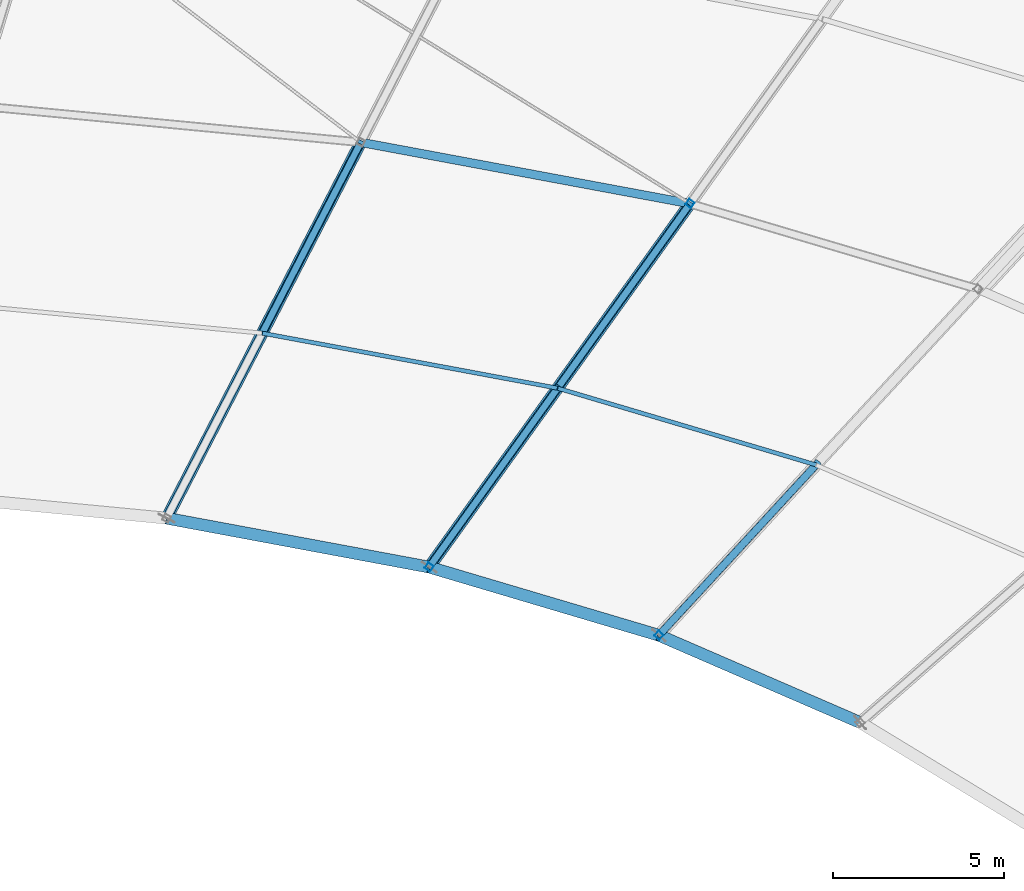
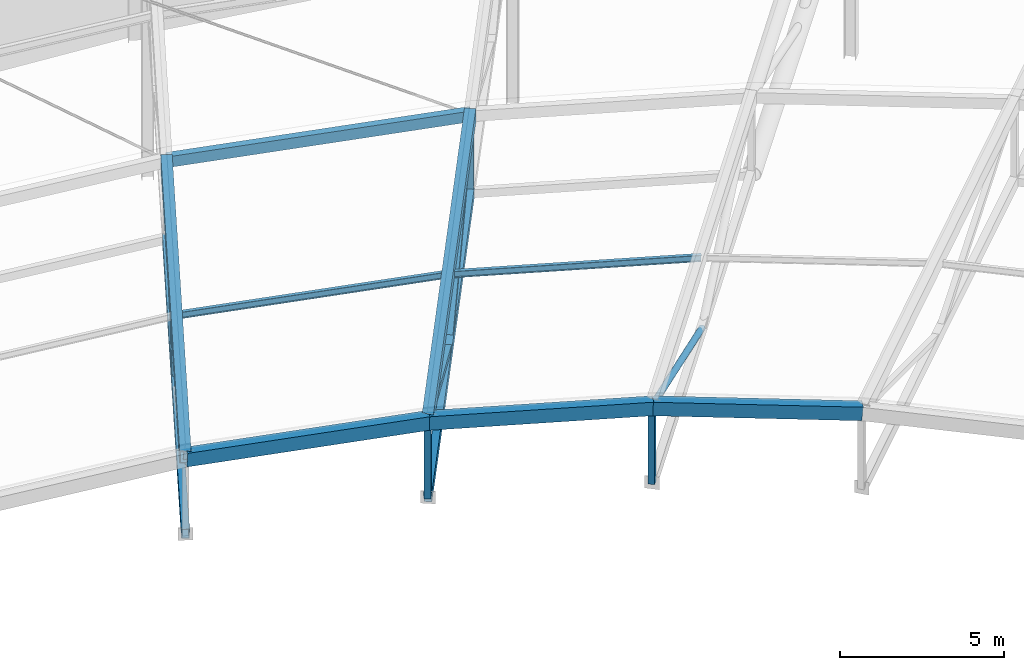
# One storey, part 77 of 143: 9 members, 8 beams.
"""IFC4 building model written with IfcOpenShell, lengths in metres."""

from ifc_helpers import new_model, si_unit, direction, frame, origin, origin_2d, place, context, subcontext, project, spatial, hollow_rectangle, hollow_circle, i_section, extrude, material, material_profile, profile_set, type_object, element, save


model = new_model("IFC4")

# Units and contexts
model_context = context("Model", 3, precision=1e-05, world=origin(), true_north=direction((0.0, 1.0)))
body_context = subcontext(model_context, "Body", "Model", "MODEL_VIEW")
ifc_project = project(units=[si_unit("LENGTHUNIT", "METRE"), si_unit("AREAUNIT", "SQUARE_METRE"), si_unit("VOLUMEUNIT", "CUBIC_METRE"), si_unit("PLANEANGLEUNIT", "RADIAN"), si_unit("MASSUNIT", "GRAM", prefix="KILO")], contexts=[model_context])

# Site, building, storey
site_placement = place(None, origin())
site = spatial("IfcSite", under=ifc_project, at=site_placement, CompositionType="ELEMENT")
building_placement = place(site_placement, origin())
building = spatial("IfcBuilding", under=site, at=building_placement, Name="Mphavela Belvedere Stadium", CompositionType="ELEMENT")
storey_placement = place(building_placement, frame((0.0, 0.0, 28.800048828125)))
storey = spatial("IfcBuildingStorey", under=building, at=storey_placement, Name="RF", CompositionType="ELEMENT", Elevation=28.800048828125)

# Beams
ifc_material_1 = material(Name="Steel S355", Category="steel")
ifc_material_profile_1 = material_profile(ifc_material_1, hollow_rectangle(XDim=0.35009765625, YDim=0.5, WallThickness=0.02001953125, at=origin_2d()), Name="RHS 500x350x20")
ifc_profile_set_1 = profile_set([ifc_material_profile_1], Name="Steel S355")
beam_type_1 = type_object("IfcBeamType", Name="BM-RING-IN", PredefinedType="BEAM", material=ifc_profile_set_1)
beam_1_placement = place(storey_placement, frame((157.6845703125, 124.35009765625, 5.147216796875), z_axis=(-0.912114200375, 0.39539814222, 0.108203487017), x_axis=(-0.397733327252, -0.917501062884, 0.0)))
element("IfcBeam", 1, at=beam_1_placement, inside=storey, type_object=beam_type_1, Name="Inner tension ring beam RB-IN-08", PredefinedType="BEAM", context=body_context, shape_type="SweptSolid", body=[
    extrude(hollow_rectangle(XDim=0.35009765625, YDim=0.5, WallThickness=0.02001953125, at=origin_2d()), origin(), (0.0, 0.0, 1.0), 6.459716796875),
])
beam_2_placement = place(storey_placement, frame((151.79248046875, 126.904296875, 5.84619140625), z_axis=(-0.955178265925, 0.283491054997, 0.085248472374), x_axis=(-0.284526811355, -0.958668083134, 0.0)))
element("IfcBeam", 2, at=beam_2_placement, inside=storey, type_object=beam_type_1, Name="Inner tension ring beam RB-IN-09", PredefinedType="BEAM", context=body_context, shape_type="SweptSolid", body=[
    extrude(hollow_rectangle(XDim=0.35009765625, YDim=0.5, WallThickness=0.02001953125, at=origin_2d()), origin(), (0.0, 0.0, 1.0), 7.039306640625),
])
beam_3_placement = place(storey_placement, frame((145.068603515625, 128.89990234375, 6.4462890625), z_axis=(-0.981391845302, 0.182791168086, 0.058799956167), x_axis=(-0.183107984128, -0.983092806478, 0.0)))
element("IfcBeam", 3, at=beam_3_placement, inside=storey, type_object=beam_type_1, Name="Inner tension ring beam RB-IN-10", PredefinedType="BEAM", context=body_context, shape_type="SweptSolid", body=[
    extrude(hollow_rectangle(XDim=0.35009765625, YDim=0.5, WallThickness=0.02001953125, at=origin_2d()), origin(), (0.0, 0.0, 1.0), 7.830810546875),
])
ifc_material_2 = material(Name="Steel S355", Category="steel")
ifc_material_profile_2 = material_profile(ifc_material_2, hollow_rectangle(XDim=0.25, YDim=0.39990234375, WallThickness=0.01611328125, at=origin_2d()), Name="RHS 400x250x16")
ifc_profile_set_2 = profile_set([ifc_material_profile_2], Name="Steel S355")
beam_type_2 = type_object("IfcBeamType", Name="BM-RING-MID", PredefinedType="BEAM", material=ifc_profile_set_2)
beam_4_placement = place(storey_placement, frame((152.703125, 139.538818359375, 8.69384765625), z_axis=(-0.98139414179, 0.18277751042, 0.058804082729), x_axis=(-0.183094347373, -0.983095346322, 0.0)))
element("IfcBeam", 4, at=beam_4_placement, inside=storey, type_object=beam_type_2, Name="Intermediate roof ring beam RB-MID-10", PredefinedType="BEAM", context=body_context, shape_type="SweptSolid", body=[
    extrude(hollow_rectangle(XDim=0.25, YDim=0.39990234375, WallThickness=0.01611328125, at=origin_2d()), origin(), (0.0, 0.0, 1.0), 9.81884765625),
])
ifc_material_3 = material(Name="Steel S355", Category="steel")
ifc_material_profile_3 = material_profile(ifc_material_3, hollow_rectangle(XDim=0.25, YDim=0.39990234375, WallThickness=0.01611328125, at=origin_2d()), Name="RHS 400x250x16")
ifc_profile_set_3 = profile_set([ifc_material_profile_3], Name="Steel S355")
beam_type_3 = type_object("IfcBeamType", Name="BM-TRUSS-BC2", PredefinedType="BEAM", material=ifc_profile_set_3)
beam_5_placement = place(storey_placement, frame((152.703125, 139.538818359375, 5.793701171875), z_axis=(-0.574983176294, -0.801254896657, -0.165483949559), x_axis=(0.812456656282, -0.583021596223, 0.0)))
element("IfcBeam", 5, at=beam_5_placement, inside=storey, type_object=beam_type_3, Name="Radial roof truss RT-10 bottom chord 3", PredefinedType="BEAM", context=body_context, shape_type="SweptSolid", body=[
    extrude(hollow_rectangle(XDim=0.25, YDim=0.39990234375, WallThickness=0.01611328125, at=origin_2d()), origin(), (0.0, 0.0, 1.0), 13.27783203125),
])
beam_6_placement = place(storey_placement, frame((143.06689453125, 141.33349609375, 6.371337890625), z_axis=(-0.451136932804, -0.87334017255, -0.183718292151), x_axis=(0.888462753712, -0.458948728363, 0.0)))
element("IfcBeam", 6, at=beam_6_placement, inside=storey, type_object=beam_type_3, Name="Radial roof truss RT-11 bottom chord 3", PredefinedType="BEAM", context=body_context, shape_type="SweptSolid", body=[
    extrude(hollow_rectangle(XDim=0.25, YDim=0.39990234375, WallThickness=0.01611328125, at=origin_2d()), origin(), (0.0, 0.0, 1.0), 12.597900390625),
])
ifc_material_4 = material(Name="Steel S355", Category="steel")
ifc_material_profile_4 = material_profile(ifc_material_4, hollow_rectangle(XDim=0.35009765625, YDim=0.5, WallThickness=0.02001953125, at=origin_2d()), Name="RHS 500x350x20")
ifc_profile_set_4 = profile_set([ifc_material_profile_4], Name="Steel S355")
beam_type_4 = type_object("IfcBeamType", Name="BM-TRUSS-TC2", PredefinedType="BEAM", material=ifc_profile_set_4)
beam_7_placement = place(storey_placement, frame((152.703125, 139.538818359375, 8.69384765625), z_axis=(-0.574618992285, -0.800747396207, -0.169164479645), x_axis=(0.812456656282, -0.583021596223, 0.0)))
element("IfcBeam", 7, at=beam_7_placement, inside=storey, type_object=beam_type_4, Name="Radial roof truss RT-10 top chord 3", PredefinedType="BEAM", context=body_context, shape_type="SweptSolid", body=[
    extrude(hollow_rectangle(XDim=0.35009765625, YDim=0.5, WallThickness=0.02001953125, at=origin_2d()), origin(), (0.0, 0.0, 1.0), 13.2861328125),
])
beam_8_placement = place(storey_placement, frame((143.06689453125, 141.33349609375, 9.271240234375), z_axis=(-0.450804465526, -0.872696560804, -0.187552783566), x_axis=(0.888462753712, -0.458948728363, 0.0)))
element("IfcBeam", 8, at=beam_8_placement, inside=storey, type_object=beam_type_4, Name="Radial roof truss RT-11 top chord 3", PredefinedType="BEAM", context=body_context, shape_type="SweptSolid", body=[
    extrude(hollow_rectangle(XDim=0.35009765625, YDim=0.5, WallThickness=0.02001953125, at=origin_2d()), origin(), (0.0, 0.0, 1.0), 12.607177734375),
])

# Members
ifc_material_5 = material(Name="Steel S355", Category="steel")
ifc_material_profile_5 = material_profile(ifc_material_5, hollow_circle(Radius=0.109619140625, WallThickness=0.012451171875, at=origin_2d()), Name="CHS 219.1x12.5")
ifc_profile_set_5 = profile_set([ifc_material_profile_5], Name="Steel S355")
member_type_1 = type_object("IfcMemberType", Name="MEM-DIAG-219", PredefinedType="BRACE", material=ifc_profile_set_5)
member_1_placement = place(storey_placement, frame((156.46337890625, 131.97021484375, 4.0185546875), z_axis=(-0.655206970237, -0.710618055217, 0.25637044633), x_axis=(0.735189102669, -0.677862068061, 0.0)))
element("IfcMember", 9, at=member_1_placement, inside=storey, type_object=member_type_1, Name="Radial roof truss RT-09 web diagonal D6", PredefinedType="BRACE", context=body_context, shape_type="SweptSolid", body=[
    extrude(hollow_circle(Radius=0.109619140625, WallThickness=0.012451171875, at=origin_2d()), origin(), (0.0, 0.0, 1.0), 7.12890625),
])
ifc_material_6 = material(Name="Steel S355", Category="steel")
ifc_material_profile_6 = material_profile(ifc_material_6, hollow_rectangle(XDim=0.199951171875, YDim=0.199951171875, WallThickness=0.010009765625, at=origin_2d()), Name="SHS 200x200x10")
ifc_profile_set_6 = profile_set([ifc_material_profile_6], Name="Steel S355")
member_type_2 = type_object("IfcMemberType", Name="MEM-POST-SHS200", PredefinedType="POST", material=ifc_profile_set_6)
member_2_placement = place(storey_placement, frame((151.79248046875, 126.904296875, 2.99609375), z_axis=(0.0, 0.0, 1.0), x_axis=(0.677903094969, 0.735151272753, 0.0)))
element("IfcMember", 10, at=member_2_placement, inside=storey, type_object=member_type_2, Name="Radial roof truss RT-09 post P4", PredefinedType="POST", context=body_context, shape_type="SweptSolid", body=[
    extrude(hollow_rectangle(XDim=0.199951171875, YDim=0.199951171875, WallThickness=0.010009765625, at=origin_2d()), origin(), (0.0, 0.0, 1.0), 2.85009765625),
])
member_3_placement = place(storey_placement, frame((152.703125, 139.538818359375, 5.793701171875), z_axis=(0.0, 0.0, 1.0), x_axis=(0.582974127943, 0.812490717577, 0.0)))
element("IfcMember", 11, at=member_3_placement, inside=storey, type_object=member_type_2, Name="Radial roof truss RT-10 post P3", PredefinedType="POST", context=body_context, shape_type="SweptSolid", body=[
    extrude(hollow_rectangle(XDim=0.199951171875, YDim=0.199951171875, WallThickness=0.010009765625, at=origin_2d()), origin(), (0.0, 0.0, 1.0), 2.900146484375),
])
member_4_placement = place(storey_placement, frame((145.068603515625, 128.89990234375, 3.596435546875), z_axis=(0.0, 0.0, 1.0), x_axis=(0.582974127943, 0.812490717577, 0.0)))
element("IfcMember", 12, at=member_4_placement, inside=storey, type_object=member_type_2, Name="Radial roof truss RT-10 post P4", PredefinedType="POST", context=body_context, shape_type="SweptSolid", body=[
    extrude(hollow_rectangle(XDim=0.199951171875, YDim=0.199951171875, WallThickness=0.010009765625, at=origin_2d()), origin(), (0.0, 0.0, 1.0), 2.849853515625),
])
member_5_placement = place(storey_placement, frame((152.703125, 139.538818359375, 8.69384765625), z_axis=(-0.497556185382, -0.693364513406, -0.521232667757), x_axis=(0.812459150287, -0.583018120743, 0.0)))
element("IfcMember", 13, at=member_5_placement, inside=storey, type_object=member_type_2, Name="Radial roof truss RT-10 web diagonal D5", PredefinedType="POST", context=body_context, shape_type="SweptSolid", body=[
    extrude(hollow_rectangle(XDim=0.199951171875, YDim=0.199951171875, WallThickness=0.010009765625, at=origin_2d()), origin(), (0.0, 0.0, 1.0), 7.671875),
])
member_6_placement = place(storey_placement, frame((148.885986328125, 134.219482421875, 4.695068359375), z_axis=(-0.563227488771, -0.784865934564, 0.258380070156), x_axis=(0.812454162392, -0.583025071512, 0.0)))
element("IfcMember", 14, at=member_6_placement, inside=storey, type_object=member_type_2, Name="Radial roof truss RT-10 web diagonal D6", PredefinedType="POST", context=body_context, shape_type="SweptSolid", body=[
    extrude(hollow_rectangle(XDim=0.199951171875, YDim=0.199951171875, WallThickness=0.010009765625, at=origin_2d()), origin(), (0.0, 0.0, 1.0), 6.777587890625),
])
member_7_placement = place(storey_placement, frame((143.06689453125, 141.33349609375, 9.271240234375), z_axis=(-0.383869344844, -0.743134640263, -0.548083235039), x_axis=(0.888466640129, -0.458941204707, 0.0)))
element("IfcMember", 15, at=member_7_placement, inside=storey, type_object=member_type_2, Name="Radial roof truss RT-11 web diagonal D5", PredefinedType="POST", context=body_context, shape_type="SweptSolid", body=[
    extrude(hollow_rectangle(XDim=0.199951171875, YDim=0.199951171875, WallThickness=0.010009765625, at=origin_2d()), origin(), (0.0, 0.0, 1.0), 7.40234375),
])
ifc_material_7 = material(Name="Steel S355", Category="steel")
ifc_material_profile_7 = material_profile(ifc_material_7, i_section(OverallWidth=0.1201171875, OverallDepth=0.239990234375, WebThickness=0.006103515625, FlangeThickness=0.009765625, at=origin_2d()), Name="IPE 240")
ifc_profile_set_7 = profile_set([ifc_material_profile_7], Name="Steel S355")
member_type_3 = type_object("IfcMemberType", Name="MEM-PURLIN-IPE240", PredefinedType="PURLIN", material=ifc_profile_set_7)
member_8_placement = place(storey_placement, frame((156.3916015625, 131.89208984375, 6.717529296875), z_axis=(-0.955166960995, 0.283522803391, 0.085269552482), x_axis=(-0.284559190919, -0.958658472483, 0.0)))
element("IfcMember", 16, at=member_8_placement, inside=storey, type_object=member_type_3, Name="Saddle canopy steel purlin 09-1", PredefinedType="PURLIN", context=body_context, shape_type="SweptSolid", body=[
    extrude(i_section(OverallWidth=0.1201171875, OverallDepth=0.239990234375, WebThickness=0.006103515625, FlangeThickness=0.009765625, at=origin_2d()), origin(), (0.0, 0.0, 1.0), 7.91943359375),
])
member_9_placement = place(storey_placement, frame((148.8271484375, 134.137451171875, 7.392822265625), z_axis=(-0.981390057649, 0.182798170684, 0.05880802277), x_axis=(-0.183115086025, -0.983091483673, 0.0)))
element("IfcMember", 17, at=member_9_placement, inside=storey, type_object=member_type_3, Name="Saddle canopy steel purlin 10-1", PredefinedType="PURLIN", context=body_context, shape_type="SweptSolid", body=[
    extrude(i_section(OverallWidth=0.1201171875, OverallDepth=0.239990234375, WebThickness=0.006103515625, FlangeThickness=0.009765625, at=origin_2d()), origin(), (0.0, 0.0, 1.0), 8.8095703125),
])

save(model, "model.ifc")
